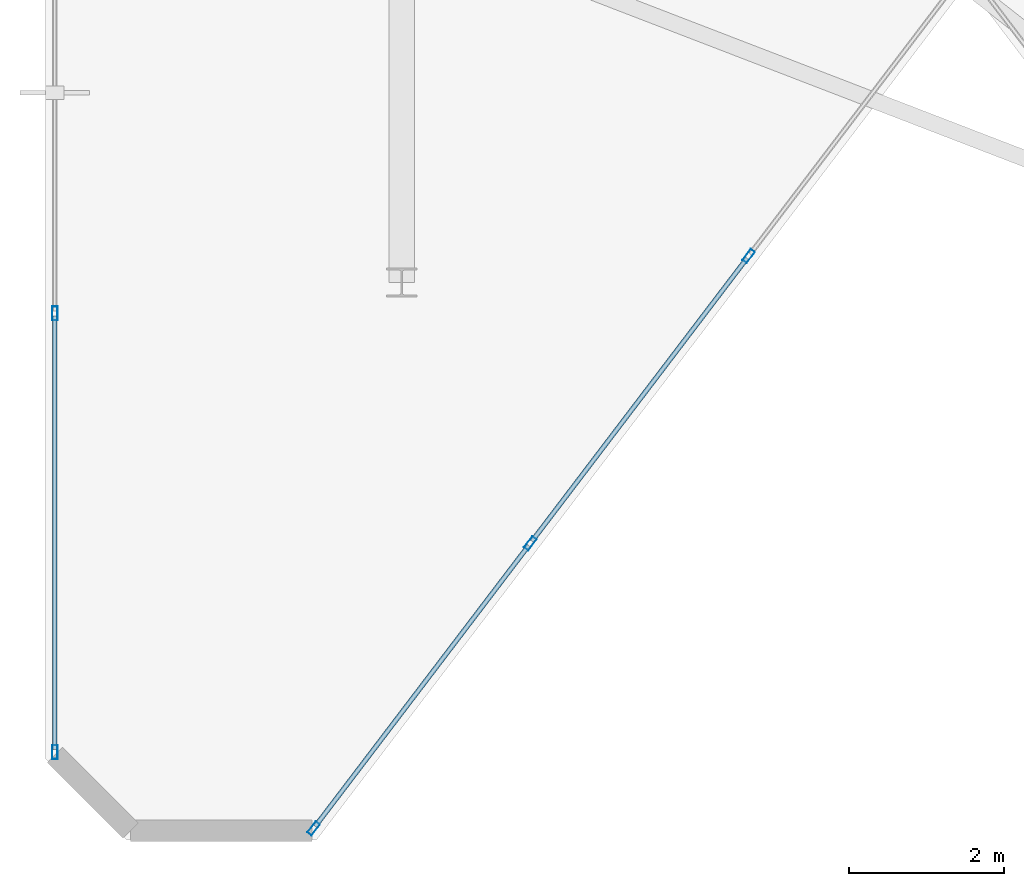
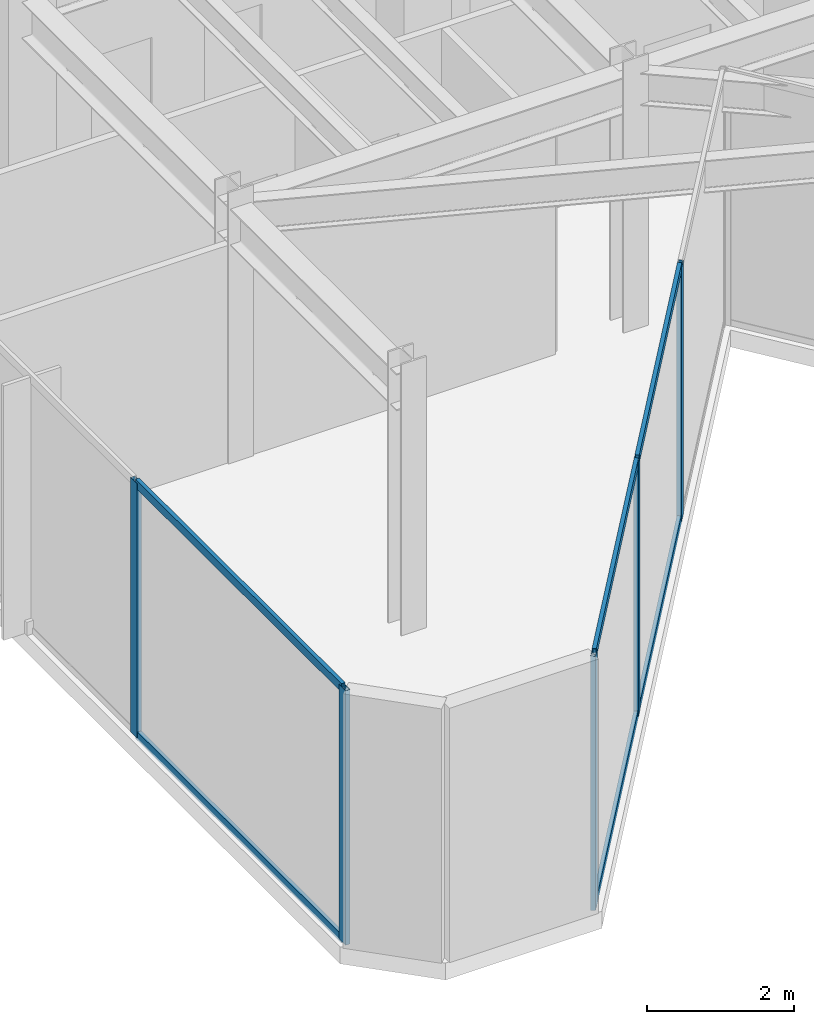
# One storey, part 2 of 17: 11 members, 2 elements without a shape of their own.
"""IFC4 building model written with IfcOpenShell, lengths in metres."""

from ifc_helpers import new_model, si_unit, direction, frame, origin, origin_2d, place, context, subcontext, project, spatial, hollow_rectangle, extrude, material, layer, layer_set, material_profile, profile_set, type_object, element, aggregate, save


model = new_model("IFC4")

# Units and contexts
model_context = context("Model", 3, precision=1e-05, world=origin(), true_north=direction((0.0, 1.0)))
body_context = subcontext(model_context, "Body", "Model", "MODEL_VIEW")
ifc_project = project(units=[si_unit("LENGTHUNIT", "METRE"), si_unit("AREAUNIT", "SQUARE_METRE"), si_unit("VOLUMEUNIT", "CUBIC_METRE"), si_unit("PLANEANGLEUNIT", "RADIAN"), si_unit("MASSUNIT", "GRAM", prefix="KILO")], contexts=[model_context])

# Site, building, storey
site_placement = place(None, origin())
site = spatial("IfcSite", under=ifc_project, at=site_placement, CompositionType="ELEMENT")
building_placement = place(site_placement, origin())
building = spatial("IfcBuilding", under=site, at=building_placement, Name="Kravanh Interchange Tower", CompositionType="ELEMENT")
storey_placement = place(building_placement, frame((0.0, 0.0, 311.10009765625)))
storey = spatial("IfcBuildingStorey", under=building, at=storey_placement, Name="L77", CompositionType="ELEMENT", Elevation=311.10009765625)

# Curtain wall, members
ifc_material_1 = material(Name="Anodised Bronze Aluminium", Category="aluminium")
ifc_layer = layer(ifc_material_1, 0.179931640625)
ifc_layer_set = layer_set([ifc_layer], Name="Unitised Curtain Wall System CW-SKY Sky Observatory")
curtain_wall_type = type_object("IfcCurtainWallType", Name="Unitised Curtain Wall System CW-SKY Sky Observatory", PredefinedType="NOTDEFINED", material=ifc_layer_set)
curtain_wall_1_placement = place(storey_placement, origin())
curtain_wall_1 = element("IfcCurtainWall", 1, at=curtain_wall_1_placement, inside=storey, type_object=curtain_wall_type, Name="L77 Unitised Curtain Wall CW-L77-01", PredefinedType="NOTDEFINED")
ifc_material_2 = material(Name="Anodised Bronze Aluminium", Category="aluminium")
ifc_material_profile_1 = material_profile(ifc_material_2, hollow_rectangle(XDim=0.070068359375, YDim=0.179931640625, WallThickness=0.00390625, at=origin_2d()), Name="ALU70X180X4")
ifc_profile_set_1 = profile_set([ifc_material_profile_1], Name="Anodised Bronze Aluminium")
member_type_1 = type_object("IfcMemberType", Name="Curtain Wall Mullion ALU70X180X4 Bronze", PredefinedType="MULLION", material=ifc_profile_set_1)
member_1_placement = place(storey_placement, frame((34.1201171875, 20.734619140625, 0.0), z_axis=(0.0, 0.0, 1.0), x_axis=(-1.0, 0.0, 0.0)))
member_1 = element("IfcMember", 2, at=member_1_placement, type_object=member_type_1, Name="CW-SKY mullion 1", PredefinedType="MULLION", context=body_context, shape_type="SweptSolid", body=[
    extrude(hollow_rectangle(XDim=0.070068359375, YDim=0.179931640625, WallThickness=0.00390625, at=origin_2d()), origin(), (0.0, 0.0, 1.0), 4.219970703125),
])
member_2_placement = place(storey_placement, frame((34.1201171875, 26.39990234375, 0.0), z_axis=(0.0, 0.0, 1.0), x_axis=(-1.0, 0.0, 0.0)))
member_2 = element("IfcMember", 3, at=member_2_placement, type_object=member_type_1, Name="CW-SKY mullion 2", PredefinedType="MULLION", context=body_context, shape_type="SweptSolid", body=[
    extrude(hollow_rectangle(XDim=0.070068359375, YDim=0.179931640625, WallThickness=0.00390625, at=origin_2d()), origin(), (0.0, 0.0, 1.0), 4.219970703125),
])

curtain_wall_2_placement = place(storey_placement, origin())
curtain_wall_2 = element("IfcCurtainWall", 4, at=curtain_wall_2_placement, inside=storey, type_object=curtain_wall_type, Name="L77 Unitised Curtain Wall CW-L77-06", PredefinedType="NOTDEFINED")
member_3_placement = place(storey_placement, frame((43.080078125, 27.140625, 0.0), z_axis=(0.0, 0.0, 1.0), x_axis=(0.796161642797, -0.605083992962, 0.0)))
member_3 = element("IfcMember", 5, at=member_3_placement, type_object=member_type_1, Name="CW-SKY mullion 2", PredefinedType="MULLION", context=body_context, shape_type="SweptSolid", body=[
    extrude(hollow_rectangle(XDim=0.070068359375, YDim=0.179931640625, WallThickness=0.00390625, at=origin_2d()), origin(), (0.0, 0.0, 1.0), 4.219970703125),
])
member_4_placement = place(storey_placement, frame((40.26025390625, 23.430419921875, 0.0), z_axis=(0.0, 0.0, 1.0), x_axis=(0.796161642797, -0.605083992962, 0.0)))
member_4 = element("IfcMember", 6, at=member_4_placement, type_object=member_type_1, Name="CW-SKY mullion 3", PredefinedType="MULLION", context=body_context, shape_type="SweptSolid", body=[
    extrude(hollow_rectangle(XDim=0.070068359375, YDim=0.179931640625, WallThickness=0.00390625, at=origin_2d()), origin(), (0.0, 0.0, 1.0), 4.219970703125),
])
member_5_placement = place(storey_placement, frame((37.461669921875, 19.747802734375, 0.0), z_axis=(0.0, 0.0, 1.0), x_axis=(0.796161642797, -0.605083992962, 0.0)))
member_5 = element("IfcMember", 7, at=member_5_placement, type_object=member_type_1, Name="CW-SKY mullion 4", PredefinedType="MULLION", context=body_context, shape_type="SweptSolid", body=[
    extrude(hollow_rectangle(XDim=0.070068359375, YDim=0.179931640625, WallThickness=0.00390625, at=origin_2d()), origin(), (0.0, 0.0, 1.0), 4.219970703125),
])

# Member
ifc_material_3 = material(Name="Anodised Bronze Aluminium", Category="aluminium")
ifc_material_profile_2 = material_profile(ifc_material_3, hollow_rectangle(XDim=0.06005859375, YDim=0.139892578125, WallThickness=0.00390625, at=origin_2d()), Name="ALU60X140X4")
ifc_profile_set_2 = profile_set([ifc_material_profile_2], Name="Anodised Bronze Aluminium")
member_type_2 = type_object("IfcMemberType", Name="Curtain Wall Transom ALU60X140X4 Bronze", PredefinedType="USERDEFINED", material=ifc_profile_set_2)
member_6_placement = place(storey_placement, frame((34.1201171875, 20.769775390625, 0.02978515625), z_axis=(0.0, 1.0, 0.0), x_axis=(-1.0, 0.0, 0.0)))
member_6 = element("IfcMember", 8, at=member_6_placement, type_object=member_type_2, Name="CW-SKY transom 1.1", ObjectType="TRANSOM", PredefinedType="USERDEFINED", context=body_context, shape_type="SweptSolid", body=[
    extrude(hollow_rectangle(XDim=0.06005859375, YDim=0.139892578125, WallThickness=0.00390625, at=origin_2d()), origin(), (0.0, 0.0, 1.0), 5.594970703125),
])

member_7_placement = place(storey_placement, frame((34.1201171875, 20.769775390625, 4.18994140625), z_axis=(0.0, 1.0, 0.0), x_axis=(-1.0, 0.0, 0.0)))
member_7 = element("IfcMember", 9, at=member_7_placement, type_object=member_type_2, Name="CW-SKY transom 1.2", ObjectType="TRANSOM", PredefinedType="USERDEFINED", context=body_context, shape_type="SweptSolid", body=[
    extrude(hollow_rectangle(XDim=0.06005859375, YDim=0.139892578125, WallThickness=0.00390625, at=origin_2d()), origin(), (0.0, 0.0, 1.0), 5.594970703125),
])

aggregate(curtain_wall_1, [member_1, member_2, member_6, member_7])

member_8_placement = place(storey_placement, frame((43.05908203125, 27.11279296875, 0.02978515625), z_axis=(-0.605102146932, -0.796147845427, 0.0), x_axis=(0.796147845427, -0.605102146932, 0.0)))
member_8 = element("IfcMember", 10, at=member_8_placement, type_object=member_type_2, Name="CW-SKY transom 2.1", ObjectType="TRANSOM", PredefinedType="USERDEFINED", context=body_context, shape_type="SweptSolid", body=[
    extrude(hollow_rectangle(XDim=0.06005859375, YDim=0.139892578125, WallThickness=0.00390625, at=origin_2d()), origin(), (0.0, 0.0, 1.0), 4.59033203125),
])

member_9_placement = place(storey_placement, frame((43.05908203125, 27.11279296875, 4.18994140625), z_axis=(-0.605102146932, -0.796147845427, 0.0), x_axis=(0.796147845427, -0.605102146932, 0.0)))
member_9 = element("IfcMember", 11, at=member_9_placement, type_object=member_type_2, Name="CW-SKY transom 2.2", ObjectType="TRANSOM", PredefinedType="USERDEFINED", context=body_context, shape_type="SweptSolid", body=[
    extrude(hollow_rectangle(XDim=0.06005859375, YDim=0.139892578125, WallThickness=0.00390625, at=origin_2d()), origin(), (0.0, 0.0, 1.0), 4.59033203125),
])

member_10_placement = place(storey_placement, frame((40.2392578125, 23.40234375, 0.02978515625), z_axis=(-0.605090062038, -0.796157030254, 0.0), x_axis=(0.796157030254, -0.605090062038, 0.0)))
member_10 = element("IfcMember", 12, at=member_10_placement, type_object=member_type_2, Name="CW-SKY transom 3.1", ObjectType="TRANSOM", PredefinedType="USERDEFINED", context=body_context, shape_type="SweptSolid", body=[
    extrude(hollow_rectangle(XDim=0.06005859375, YDim=0.139892578125, WallThickness=0.00390625, at=origin_2d()), origin(), (0.0, 0.0, 1.0), 4.55517578125),
])

member_11_placement = place(storey_placement, frame((40.2392578125, 23.40234375, 4.18994140625), z_axis=(-0.605090062038, -0.796157030254, 0.0), x_axis=(0.796157030254, -0.605090062038, 0.0)))
member_11 = element("IfcMember", 13, at=member_11_placement, type_object=member_type_2, Name="CW-SKY transom 3.2", ObjectType="TRANSOM", PredefinedType="USERDEFINED", context=body_context, shape_type="SweptSolid", body=[
    extrude(hollow_rectangle(XDim=0.06005859375, YDim=0.139892578125, WallThickness=0.00390625, at=origin_2d()), origin(), (0.0, 0.0, 1.0), 4.55517578125),
])

aggregate(curtain_wall_2, [member_3, member_4, member_5, member_8, member_9, member_10, member_11])

save(model, "model.ifc")
